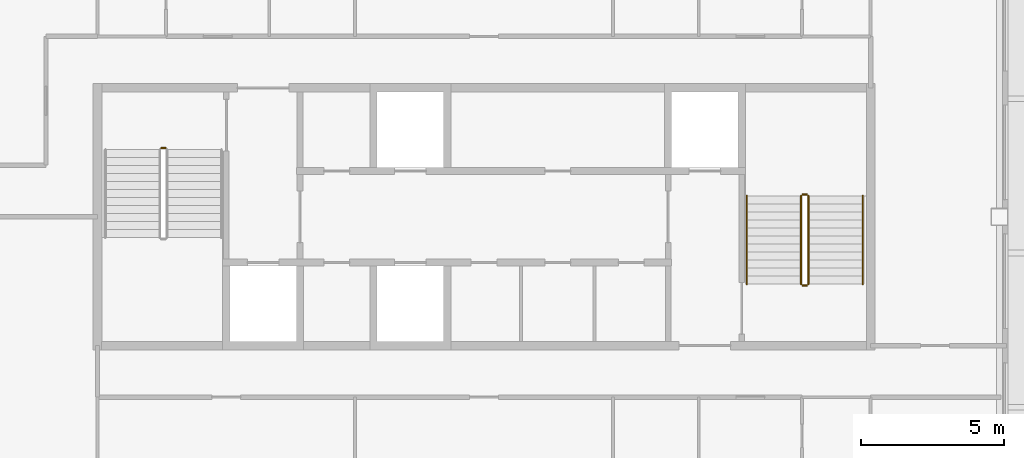
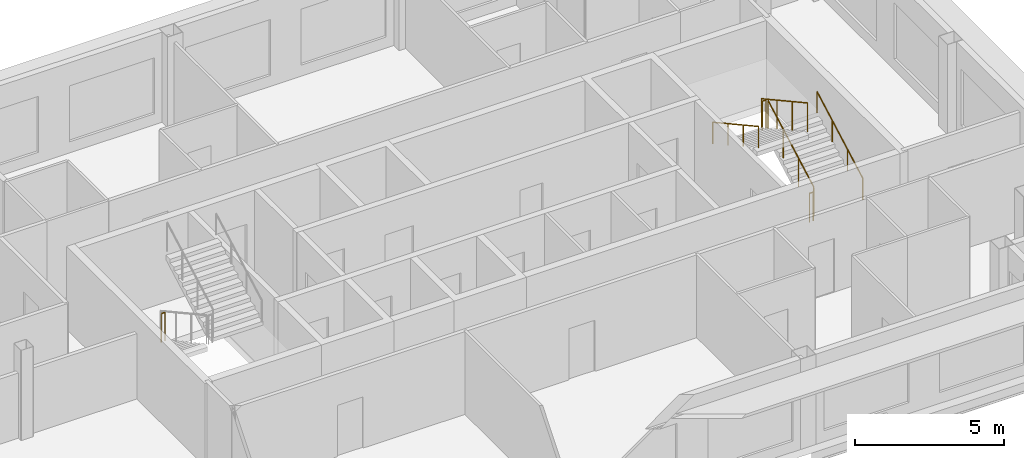
# One storey, part 11 of 11: 7 railings.
"""IFC4 building model written with IfcOpenShell, lengths in metres."""

from ifc_helpers import new_model, si_unit, direction, frame, origin, origin_2d, place, context, subcontext, project, spatial, circle, extrude, material, type_object, element, save


model = new_model("IFC4")

# Units and contexts
model_context = context("Model", 3, precision=1e-05, world=origin(), true_north=direction((0.0, 1.0)))
body_context = subcontext(model_context, "Body", "Model", "MODEL_VIEW")
ifc_project = project(units=[si_unit("LENGTHUNIT", "METRE"), si_unit("AREAUNIT", "SQUARE_METRE"), si_unit("VOLUMEUNIT", "CUBIC_METRE"), si_unit("PLANEANGLEUNIT", "RADIAN"), si_unit("MASSUNIT", "GRAM", prefix="KILO")], contexts=[model_context])

# Site, building, storey
site_placement = place(None, origin())
site = spatial("IfcSite", under=ifc_project, at=site_placement, CompositionType="ELEMENT")
building_placement = place(site_placement, origin())
building = spatial("IfcBuilding", under=site, at=building_placement, Name="Caravel Reach Hotel and Residences", CompositionType="ELEMENT")
storey_placement = place(building_placement, frame((0.0, 0.0, 263.800048828125)))
storey = spatial("IfcBuildingStorey", under=building, at=storey_placement, Name="L67", CompositionType="ELEMENT", Elevation=263.800048828125)

# Railings
ifc_material_1 = material(Name="Steel balustrade with glass infill", Category="steel")
railing_type_1 = type_object("IfcRailingType", Name="Guard 1200", PredefinedType="GUARDRAIL", material=ifc_material_1)
railing_1_placement = place(storey_placement, frame((20.22509765625, 29.39990234375, 0.0)))
element("IfcRailing", 1, at=railing_1_placement, inside=storey, type_object=railing_type_1, Name="L67 ST-A stair guard 4", PredefinedType="GUARDRAIL", context=body_context, shape_type="SweptSolid", body=[
    extrude(circle(Radius=0.02392578125, at=origin_2d()), frame((0.0, 0.0, 1.17578125), z_axis=(1.0, 0.0, 0.0), x_axis=(0.0, 1.0, 0.0)), (0.0, 0.0, 1.0), 0.14990234375),
    extrude(circle(Radius=0.02099609375, at=origin_2d()), origin(), (0.0, 0.0, 1.0), 1.15185546875),
    extrude(circle(Radius=0.02099609375, at=origin_2d()), frame((0.14990234375, 0.0, 0.0)), (0.0, 0.0, 1.0), 1.15185546875),
])
railing_2_placement = place(storey_placement, frame((42.824951171875, 24.64990234375, 0.154052734375)))
element("IfcRailing", 2, at=railing_2_placement, inside=storey, type_object=railing_type_1, Name="L67 ST-B stair guard 1", PredefinedType="GUARDRAIL", context=body_context, shape_type="SweptSolid", body=[
    extrude(circle(Radius=0.02392578125, at=origin_2d()), frame((0.0, 0.0, 1.17578125), z_axis=(0.0, 0.876004717809, 0.482302534076), x_axis=(-1.0, 0.0, 0.0)), (0.0, 0.0, 1.0), 3.51611328125),
    extrude(circle(Radius=0.02099609375, at=origin_2d()), origin(), (0.0, 0.0, 1.0), 1.15185546875),
    extrude(circle(Radius=0.02099609375, at=origin_2d()), frame((0.0, 1.026611328125, 0.565185546875)), (0.0, 0.0, 1.0), 1.15185546875),
    extrude(circle(Radius=0.02099609375, at=origin_2d()), frame((0.0, 2.053466796875, 1.130615234375)), (0.0, 0.0, 1.0), 1.15185546875),
    extrude(circle(Radius=0.02099609375, at=origin_2d()), frame((0.0, 3.080078125, 1.69580078125)), (0.0, 0.0, 1.0), 1.15185546875),
])
railing_3_placement = place(storey_placement, frame((42.77490234375, 27.780029296875, 1.849853515625)))
element("IfcRailing", 3, at=railing_3_placement, inside=storey, type_object=railing_type_1, Name="L67 ST-B stair guard 2", PredefinedType="GUARDRAIL", context=body_context, shape_type="SweptSolid", body=[
    extrude(circle(Radius=0.02392578125, at=origin_2d()), frame((0.0, 0.0, 1.17578125), z_axis=(-1.0, 0.0, 0.0), x_axis=(0.0, -1.0, 0.0)), (0.0, 0.0, 1.0), 0.14990234375),
    extrude(circle(Radius=0.02099609375, at=origin_2d()), origin(), (0.0, 0.0, 1.0), 1.15185546875),
    extrude(circle(Radius=0.02099609375, at=origin_2d()), frame((-0.14990234375, 0.0, 0.0)), (0.0, 0.0, 1.0), 1.15185546875),
])
railing_4_placement = place(storey_placement, frame((42.574951171875, 27.72998046875, 2.004150390625)))
element("IfcRailing", 4, at=railing_4_placement, inside=storey, type_object=railing_type_1, Name="L67 ST-B stair guard 3", PredefinedType="GUARDRAIL", context=body_context, shape_type="SweptSolid", body=[
    extrude(circle(Radius=0.02392578125, at=origin_2d()), frame((0.0, 0.0, 1.17578125), z_axis=(0.0, -0.876004717809, 0.482302534076), x_axis=(1.0, 0.0, 0.0)), (0.0, 0.0, 1.0), 3.51611328125),
    extrude(circle(Radius=0.02099609375, at=origin_2d()), origin(), (0.0, 0.0, 1.0), 1.15185546875),
    extrude(circle(Radius=0.02099609375, at=origin_2d()), frame((0.0, -1.026611328125, 0.565185546875)), (0.0, 0.0, 1.0), 1.15185546875),
    extrude(circle(Radius=0.02099609375, at=origin_2d()), frame((0.0, -2.053466796875, 1.130615234375)), (0.0, 0.0, 1.0), 1.15185546875),
    extrude(circle(Radius=0.02099609375, at=origin_2d()), frame((0.0, -3.080078125, 1.69580078125)), (0.0, 0.0, 1.0), 1.15185546875),
])
railing_5_placement = place(storey_placement, frame((42.77490234375, 24.60009765625, 0.0)))
element("IfcRailing", 5, at=railing_5_placement, inside=storey, type_object=railing_type_1, Name="L67 ST-B stair guard 4", PredefinedType="GUARDRAIL", context=body_context, shape_type="SweptSolid", body=[
    extrude(circle(Radius=0.02392578125, at=origin_2d()), frame((0.0, 0.0, 1.17578125), z_axis=(-1.0, 0.0, 0.0), x_axis=(0.0, -1.0, 0.0)), (0.0, 0.0, 1.0), 0.14990234375),
    extrude(circle(Radius=0.02099609375, at=origin_2d()), origin(), (0.0, 0.0, 1.0), 1.15185546875),
    extrude(circle(Radius=0.02099609375, at=origin_2d()), frame((-0.14990234375, 0.0, 0.0)), (0.0, 0.0, 1.0), 1.15185546875),
])
ifc_material_2 = material(Name="Stainless steel handrail", Category="steel")
railing_type_2 = type_object("IfcRailingType", Name="Handrail 900", PredefinedType="HANDRAIL", material=ifc_material_2)
railing_6_placement = place(storey_placement, frame((44.72509765625, 24.64990234375, 0.154052734375)))
element("IfcRailing", 6, at=railing_6_placement, inside=storey, type_object=railing_type_2, Name="L67 ST-B stair handrail 1", PredefinedType="HANDRAIL", context=body_context, shape_type="SweptSolid", body=[
    extrude(circle(Radius=0.02392578125, at=origin_2d()), frame((0.0, 0.0, 0.8759765625), z_axis=(0.0, 0.876004717809, 0.482302534076), x_axis=(-1.0, 0.0, 0.0)), (0.0, 0.0, 1.0), 3.51611328125),
    extrude(circle(Radius=0.02099609375, at=origin_2d()), origin(), (0.0, 0.0, 1.0), 0.851806640625),
    extrude(circle(Radius=0.02099609375, at=origin_2d()), frame((0.0, 1.026611328125, 0.565185546875)), (0.0, 0.0, 1.0), 0.851806640625),
    extrude(circle(Radius=0.02099609375, at=origin_2d()), frame((0.0, 2.053466796875, 1.130615234375)), (0.0, 0.0, 1.0), 0.851806640625),
    extrude(circle(Radius=0.02099609375, at=origin_2d()), frame((0.0, 3.080078125, 1.69580078125)), (0.0, 0.0, 1.0), 0.851806640625),
])
railing_7_placement = place(storey_placement, frame((40.675048828125, 27.72998046875, 2.004150390625)))
element("IfcRailing", 7, at=railing_7_placement, inside=storey, type_object=railing_type_2, Name="L67 ST-B stair handrail 2", PredefinedType="HANDRAIL", context=body_context, shape_type="SweptSolid", body=[
    extrude(circle(Radius=0.02392578125, at=origin_2d()), frame((0.0, 0.0, 0.8759765625), z_axis=(0.0, -0.876004717809, 0.482302534076), x_axis=(1.0, 0.0, 0.0)), (0.0, 0.0, 1.0), 3.51611328125),
    extrude(circle(Radius=0.02099609375, at=origin_2d()), origin(), (0.0, 0.0, 1.0), 0.851806640625),
    extrude(circle(Radius=0.02099609375, at=origin_2d()), frame((0.0, -1.026611328125, 0.565185546875)), (0.0, 0.0, 1.0), 0.851806640625),
    extrude(circle(Radius=0.02099609375, at=origin_2d()), frame((0.0, -2.053466796875, 1.130615234375)), (0.0, 0.0, 1.0), 0.851806640625),
    extrude(circle(Radius=0.02099609375, at=origin_2d()), frame((0.0, -3.080078125, 1.69580078125)), (0.0, 0.0, 1.0), 0.851806640625),
])

save(model, "model.ifc")
